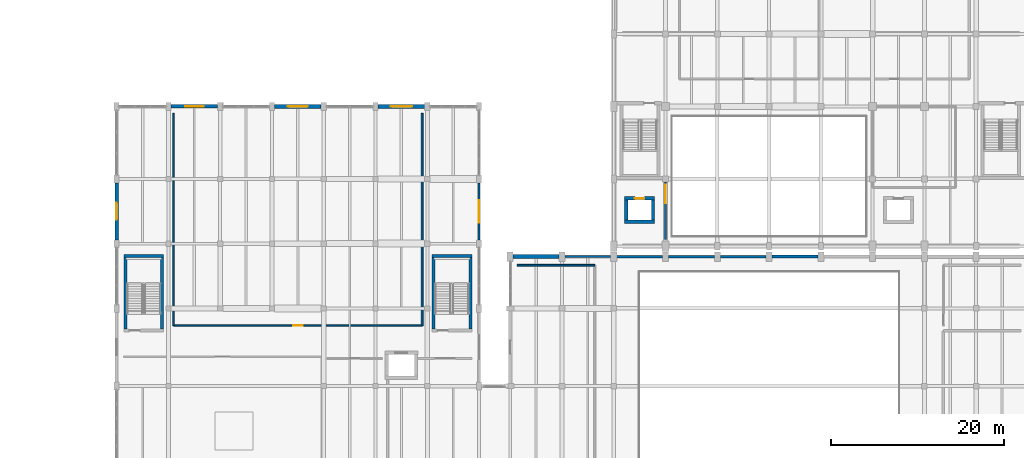
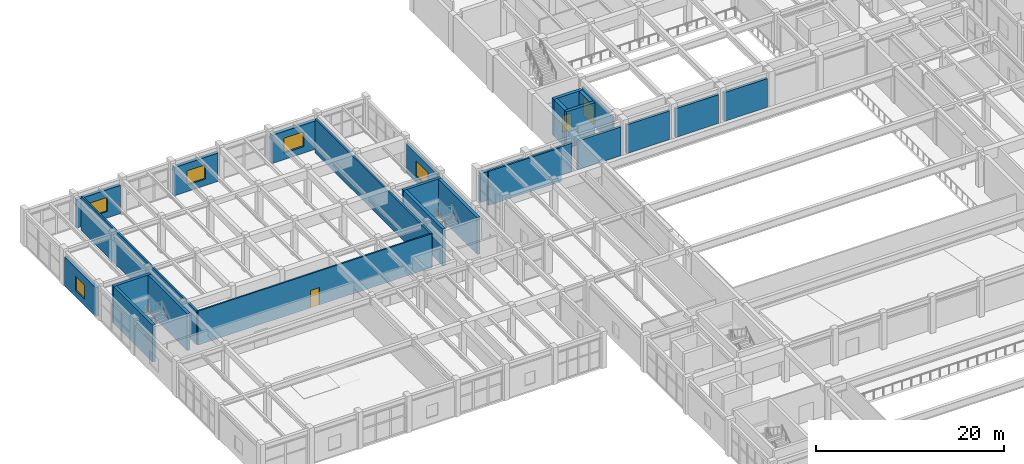
# One storey, part 64 of 85: 26 walls, 5 windows, 3 doors, 8 openings.
"""IFC4 building model written with IfcOpenShell, lengths in metres."""

import ifcopenshell
import ifcopenshell.guid

model = None  # the IFC model being written
_history = None  # IfcOwnerHistory: only IFC2X3 demands one
_inside = {}  # id of a spatial element -> (the spatial element, [elements in it])
_under = {}  # id of a project, library or spatial element -> (it, [spatial elements below it])
_declared = {}  # id of a project -> (the project, [libraries it declares])
_typed = {}  # id of a type object -> (the type object, [elements of that type])
_made_of = {}  # id of a material, layer set ... -> (it, [elements and type objects made of it])


def new_model(schema):
    """Start an empty IFC model of exactly this schema.

    Asked for "IFC4X3", IfcOpenShell would pick the latest addendum, in which some entities
    have other attributes; the version numbers below select the first issue.
    IFC2X3 requires an IfcOwnerHistory on every rooted entity: one is made here for all.
    """
    global model, _history
    if schema == "IFC4X3":
        model = ifcopenshell.file(schema_version=(4, 3, 0, 0))
    else:
        model = ifcopenshell.file(schema=schema)
    _inside.clear()
    _under.clear()
    _declared.clear()
    _typed.clear()
    _made_of.clear()
    _history = None
    if model.schema == "IFC2X3":
        org = make("IfcOrganization", Name="unknown")
        user = make(
            "IfcPersonAndOrganization",
            ThePerson=make("IfcPerson", FamilyName="unknown"),
            TheOrganization=org,
        )
        app = make(
            "IfcApplication",
            ApplicationDeveloper=org,
            Version="unknown",
            ApplicationFullName="unknown",
            ApplicationIdentifier="unknown",
        )
        _history = make(
            "IfcOwnerHistory",
            OwningUser=user,
            OwningApplication=app,
            ChangeAction="ADDED",
            CreationDate=0,
        )
    return model


def make(cls, **values):
    """One entity of the class cls with the attributes given. An attribute that is None is left unset."""
    return model.create_entity(
        cls, **{name: value for name, value in values.items() if value is not None}
    )


def rooted(cls, **values):
    """An entity with a GlobalId (a new one), such as an element, a storey or a relation."""
    return make(cls, GlobalId=ifcopenshell.guid.new(), OwnerHistory=_history, **values)


def si_unit(unit_type, name, prefix=None):
    """IfcSIUnit, for example si_unit("LENGTHUNIT", "METRE", prefix="MILLI")."""
    return make("IfcSIUnit", UnitType=unit_type, Prefix=prefix, Name=name)


def assignment(units):
    """IfcUnitAssignment: the units of a project."""
    return None if units is None else make("IfcUnitAssignment", Units=units)


def point(xyz):
    """IfcCartesianPoint."""
    return None if xyz is None else make("IfcCartesianPoint", Coordinates=xyz)


def direction(xyz):
    """IfcDirection."""
    return None if xyz is None else make("IfcDirection", DirectionRatios=xyz)


def frame(location, z_axis=None, x_axis=None):
    """IfcAxis2Placement3D, a coordinate frame: its origin and axes. An axis left out is left unset."""
    return make(
        "IfcAxis2Placement3D",
        Location=point(location),
        Axis=direction(z_axis),
        RefDirection=direction(x_axis),
    )


def frame_2d(location, x_axis=None):
    """IfcAxis2Placement2D, a coordinate frame in the plane: its origin and x axis."""
    return make(
        "IfcAxis2Placement2D", Location=point(location), RefDirection=direction(x_axis)
    )


def origin():
    """The frame at (0, 0, 0) with its axes left unset."""
    return frame((0.0, 0.0, 0.0))


def place(relative_to, where):
    """IfcLocalPlacement: puts the frame where relative to a parent placement (None: the world)."""
    return make(
        "IfcLocalPlacement", PlacementRelTo=relative_to, RelativePlacement=where
    )


def context(
    kind, dimensions, precision=None, world=None, true_north=None, identifier=None
):
    """IfcGeometricRepresentationContext, for example the 3D "Model" context."""
    return make(
        "IfcGeometricRepresentationContext",
        ContextIdentifier=identifier,
        ContextType=kind,
        CoordinateSpaceDimension=dimensions,
        Precision=precision,
        WorldCoordinateSystem=world,
        TrueNorth=true_north,
    )


def subcontext(parent, identifier, kind, view, scale=None):
    """IfcGeometricRepresentationSubContext, for example "Body" below "Model"."""
    return make(
        "IfcGeometricRepresentationSubContext",
        ContextIdentifier=identifier,
        ContextType=kind,
        ParentContext=parent,
        TargetScale=scale,
        TargetView=view,
    )


def project(units=None, contexts=None):
    """IfcProject with its units and contexts."""
    return rooted(
        "IfcProject",
        Name="project",
        RepresentationContexts=contexts,
        UnitsInContext=assignment(units),
    )


def spatial(cls, under=None, at=None, **own):
    """A site, building, storey or space (cls), placed at a placement, below another one or the project."""
    s = rooted(cls, ObjectPlacement=at, **own)
    if under is not None:
        _under.setdefault(under.id(), (under, []))[1].append(s)
    return s


def profile(cls, at=None, kind="AREA", **sizes):
    """A parametric profile (cls). Its sizes go by their IFC names, for example OverallWidth=200.0."""
    return make(cls, ProfileType=kind, Position=at, **sizes)


def rectangle(**sizes):
    """IfcRectangleProfileDef."""
    return profile("IfcRectangleProfileDef", **sizes)


def extrude(swept, where, along, depth):
    """IfcExtrudedAreaSolid: the profile swept, set in the frame where, extruded along a direction by depth."""
    return make(
        "IfcExtrudedAreaSolid",
        SweptArea=swept,
        Position=where,
        ExtrudedDirection=direction(along),
        Depth=depth,
    )


def shape(context_of_items, identifier, shape_type, items):
    """IfcShapeRepresentation: the items that make up one representation, for example the "Body"."""
    return make(
        "IfcShapeRepresentation",
        ContextOfItems=context_of_items,
        RepresentationIdentifier=identifier,
        RepresentationType=shape_type,
        Items=items,
    )


def material(Name=None, Category=None):
    """IfcMaterial."""
    return make("IfcMaterial", Name=Name, Category=Category)


def layer(
    of_material, thickness, ventilated=None, Name=None, Category=None, Priority=None
):
    """IfcMaterialLayer: one layer of a wall or slab, of a material (None: an air gap)."""
    return make(
        "IfcMaterialLayer",
        Material=of_material,
        LayerThickness=thickness,
        IsVentilated=ventilated,
        Name=Name,
        Category=Category,
        Priority=Priority,
    )


def layer_set(layers, Name=None):
    """IfcMaterialLayerSet."""
    return make("IfcMaterialLayerSet", MaterialLayers=layers, LayerSetName=Name)


def made_of(thing, what):
    """Note that an element or type object is made of a material, layer set ...; save() writes the relation."""
    if what is not None:
        _made_of.setdefault(what.id(), (what, []))[1].append(thing)
    return thing


def type_object(cls, material=None, **own):
    """A type object (cls), such as IfcWallType, which elements share."""
    return made_of(rooted(cls, **own), material)


def element(
    cls,
    number,
    at=None,
    inside=None,
    cuts=None,
    type_object=None,
    material=None,
    context=None,
    identifier="Body",
    shape_type=None,
    held_by="IfcProductDefinitionShape",
    body=None,
    shapes=None,
    **own,
):
    """One element of the class cls, such as IfcWall. Its Tag is "e" and its number.

    at: its placement. inside: the storey or other place that contains it. cuts: it is an
    opening in that element (IfcRelVoidsElement). A single representation is given by context,
    identifier, shape_type and body (its items); several are given by shapes. held_by: the class
    of the entity that holds the representations. save() writes the other relations.
    """
    e = rooted(cls, Tag="e%d" % number, ObjectPlacement=at, **own)
    if body is not None:
        shapes = [shape(context, identifier, shape_type, body)]
    if shapes is not None:
        e.Representation = make(held_by, Representations=shapes)
    if inside is not None:
        _inside.setdefault(inside.id(), (inside, []))[1].append(e)
    if cuts is not None:
        rooted(
            "IfcRelVoidsElement", RelatingBuildingElement=cuts, RelatedOpeningElement=e
        )
    if type_object is not None:
        _typed.setdefault(type_object.id(), (type_object, []))[1].append(e)
    return made_of(e, material)


def fill(opening, filler):
    """IfcRelFillsElement: the door or window that sits in an opening."""
    return rooted(
        "IfcRelFillsElement",
        RelatingOpeningElement=opening,
        RelatedBuildingElement=filler,
    )


def aggregate(whole, parts):
    """IfcRelAggregates: a whole, such as a stair, and the parts it consists of."""
    return rooted("IfcRelAggregates", RelatingObject=whole, RelatedObjects=parts)


def save(model, path):
    """Write the relations noted so far, then the file.

    IfcRelAggregates (storeys below a building ...), IfcRelContainedInSpatialStructure (elements
    in a storey), IfcRelDefinesByType, IfcRelAssociatesMaterial and IfcRelDeclares: one each for
    every whole, place, type object, material and project.
    """
    for whole, parts in _under.values():
        aggregate(whole, parts)
    for where, things in _inside.values():
        rooted(
            "IfcRelContainedInSpatialStructure",
            RelatedElements=things,
            RelatingStructure=where,
        )
    for kind, things in _typed.values():
        rooted("IfcRelDefinesByType", RelatedObjects=things, RelatingType=kind)
    for what, things in _made_of.values():
        rooted("IfcRelAssociatesMaterial", RelatedObjects=things, RelatingMaterial=what)
    for by, libraries in _declared.values():
        rooted("IfcRelDeclares", RelatingContext=by, RelatedDefinitions=libraries)
    model.write(path)


model = new_model("IFC4")

# Units and contexts
model_context = context("Model", 3, precision=1e-05, world=origin(), true_north=direction((0.0, 1.0)))
body_context = subcontext(model_context, "Body", "Model", "MODEL_VIEW")
ifc_project = project(units=[si_unit("LENGTHUNIT", "METRE"), si_unit("AREAUNIT", "SQUARE_METRE"), si_unit("VOLUMEUNIT", "CUBIC_METRE"), si_unit("PLANEANGLEUNIT", "RADIAN"), si_unit("MASSUNIT", "GRAM", prefix="KILO")], contexts=[model_context])

# Site, building, storey
site_placement = place(None, origin())
site = spatial("IfcSite", under=ifc_project, at=site_placement, CompositionType="ELEMENT")
building_placement = place(site_placement, origin())
building = spatial("IfcBuilding", under=site, at=building_placement, Name="Vaelkrest Opera House", CompositionType="ELEMENT")
storey_placement = place(building_placement, frame((0.0, 0.0, 10.199951171875)))
storey = spatial("IfcBuildingStorey", under=building, at=storey_placement, Name="L02", CompositionType="ELEMENT", Elevation=10.199951171875)

# Wall
ifc_material_1 = material(Name="Douglas fir glulam GL28h", Category="wood")
ifc_layer_1 = layer(ifc_material_1, 0.2548828125)
ifc_layer_set_1 = layer_set([ifc_layer_1], Name="Douglas fir glulam GL28h")
wall_type_1 = type_object("IfcWallType", Name="EW01", PredefinedType="STANDARD", material=ifc_layer_set_1)
wall_1_placement = place(storey_placement, frame((-23.652099609375, 16.199951171875, 0.0), z_axis=(0.0, 0.0, 1.0), x_axis=(1.0, 0.0, 0.0)))
element("IfcWall", 1, at=wall_1_placement, inside=storey, type_object=wall_type_1, Name="Exterior facade wall EW-V1-L02-0061", PredefinedType="STANDARD", context=body_context, shape_type="SweptSolid", body=[
    extrude(rectangle(XDim=5.30419921875, YDim=0.2548828125, at=frame_2d((2.652099609375, 0.0))), origin(), (0.0, 0.0, 1.0), 3.7451171875),
])

# Wall, opening, window
wall_2_placement = place(storey_placement, frame((-33.60009765625, 24.751953125, 0.0), z_axis=(0.0, 0.0, 1.0), x_axis=(0.0, -1.0, 0.0)))
wall_2 = element("IfcWall", 2, at=wall_2_placement, inside=storey, type_object=wall_type_1, Name="Exterior facade wall EW-V3-L02-0181", PredefinedType="STANDARD", context=body_context, shape_type="SweptSolid", body=[
    extrude(rectangle(XDim=6.60400390625, YDim=0.2548828125, at=frame_2d((3.302001953125, 0.0))), origin(), (0.0, 0.0, 1.0), 3.76904296875),
])
opening_1_placement = place(wall_2_placement, frame((2.001953125, 0.0, 0.85009765625)))
opening_1 = element("IfcOpeningElement", 3, at=opening_1_placement, cuts=wall_2, Name="Opening WN089", PredefinedType="OPENING", context=body_context, shape_type="SweptSolid", body=[
    extrude(rectangle(XDim=2.60009765625, YDim=1.949951171875, at=frame_2d((1.300048828125, 0.97509765625))), frame((0.0, 0.137451171875, 0.0), z_axis=(0.0, -1.0, 0.0), x_axis=(1.0, 0.0, 0.0)), (0.0, 0.0, 1.0), 0.27490234375),
])
ifc_material_2 = material(Name="Double low-E insulated glazing", Category="glass")
window_type_1 = type_object("IfcWindowType", Name="WT11", PartitioningType="SINGLE_PANEL", PredefinedType="WINDOW", material=ifc_material_2)
window_1_placement = place(opening_1_placement, origin())
window_1 = element("IfcWindow", 4, at=window_1_placement, inside=storey, type_object=window_type_1, Name="Facade window WN089", OverallHeight=1.949951171875, OverallWidth=2.60009765625, PartitioningType="SINGLE_PANEL", PredefinedType="WINDOW", context=body_context, shape_type="SweptSolid", body=[
    extrude(rectangle(XDim=2.60009765625, YDim=1.949951171875, at=frame_2d((1.300048828125, 0.97509765625))), frame((0.0, 0.030029296875, 0.0), z_axis=(0.0, -1.0, 0.0), x_axis=(1.0, 0.0, 0.0)), (0.0, 0.0, 1.0), 0.06005859375),
])
fill(opening_1, window_1)

# Walls
ifc_layer_2 = layer(ifc_material_1, 0.27490234375)
ifc_layer_set_2 = layer_set([ifc_layer_2], Name="Douglas fir glulam GL28h")
wall_type_2 = type_object("IfcWallType", Name="EW02", PredefinedType="STANDARD", material=ifc_layer_set_2)
wall_3_placement = place(storey_placement, frame((-17.652099609375, 16.199951171875, 0.0), z_axis=(0.0, 0.0, 1.0), x_axis=(1.0, 0.0, 0.0)))
element("IfcWall", 5, at=wall_3_placement, inside=storey, type_object=wall_type_2, Name="Exterior facade wall EW-V1-L02-0062", PredefinedType="STANDARD", context=body_context, shape_type="SweptSolid", body=[
    extrude(rectangle(XDim=5.30419921875, YDim=0.27490234375, at=frame_2d((2.652099609375, 0.0))), origin(), (0.0, 0.0, 1.0), 3.7451171875),
])
ifc_layer_3 = layer(ifc_material_1, 0.294921875)
ifc_layer_set_3 = layer_set([ifc_layer_3], Name="Douglas fir glulam GL28h")
wall_type_3 = type_object("IfcWallType", Name="EW03", PredefinedType="STANDARD", material=ifc_layer_set_3)
wall_4_placement = place(storey_placement, frame((-11.652099609375, 16.199951171875, 0.0), z_axis=(0.0, 0.0, 1.0), x_axis=(1.0, 0.0, 0.0)))
element("IfcWall", 6, at=wall_4_placement, inside=storey, type_object=wall_type_3, Name="Exterior facade wall EW-V1-L02-0063", PredefinedType="STANDARD", context=body_context, shape_type="SweptSolid", body=[
    extrude(rectangle(XDim=5.30419921875, YDim=0.294921875, at=frame_2d((2.652099609375, 0.0))), origin(), (0.0, 0.0, 1.0), 3.7451171875),
])
ifc_material_3 = material(Name="American black walnut acoustic timber", Category="wood")
ifc_layer_4 = layer(ifc_material_3, 0.31494140625)
ifc_layer_set_4 = layer_set([ifc_layer_4], Name="American black walnut acoustic timber")
wall_type_4 = type_object("IfcWallType", Name="EW04", PredefinedType="STANDARD", material=ifc_layer_set_4)
wall_5_placement = place(storey_placement, frame((-5.652099609375, 16.199951171875, 0.0), z_axis=(0.0, 0.0, 1.0), x_axis=(1.0, 0.0, 0.0)))
element("IfcWall", 7, at=wall_5_placement, inside=storey, type_object=wall_type_4, Name="Exterior facade wall EW-V1-L02-0064", PredefinedType="STANDARD", context=body_context, shape_type="SweptSolid", body=[
    extrude(rectangle(XDim=5.30419921875, YDim=0.31494140625, at=frame_2d((2.652099609375, 0.0))), origin(), (0.0, 0.0, 1.0), 3.7451171875),
])
ifc_layer_5 = layer(ifc_material_3, 0.3349609375)
ifc_layer_set_5 = layer_set([ifc_layer_5], Name="American black walnut acoustic timber")
wall_type_5 = type_object("IfcWallType", Name="EW05", PredefinedType="STANDARD", material=ifc_layer_set_5)
wall_6_placement = place(storey_placement, frame((0.347900390625, 16.199951171875, 0.0), z_axis=(0.0, 0.0, 1.0), x_axis=(1.0, 0.0, 0.0)))
element("IfcWall", 8, at=wall_6_placement, inside=storey, type_object=wall_type_5, Name="Exterior facade wall EW-V1-L02-0065", PredefinedType="STANDARD", context=body_context, shape_type="SweptSolid", body=[
    extrude(rectangle(XDim=5.30419921875, YDim=0.3349609375, at=frame_2d((2.652099609375, 0.0))), origin(), (0.0, 0.0, 1.0), 3.7451171875),
])

# Wall, opening, window
ifc_material_4 = material(Name="Concrete C40/50", Category="concrete")
ifc_layer_6 = layer(ifc_material_4, 0.385009765625)
ifc_layer_set_6 = layer_set([ifc_layer_6], Name="Concrete C40/50")
wall_type_6 = type_object("IfcWallType", Name="EW07", PredefinedType="STANDARD", material=ifc_layer_set_6)
wall_7_placement = place(storey_placement, frame((-75.60009765625, 18.14794921875, 0.0), z_axis=(0.0, 0.0, 1.0), x_axis=(0.0, 1.0, 0.0)))
wall_7 = element("IfcWall", 9, at=wall_7_placement, inside=storey, type_object=wall_type_6, Name="Exterior facade wall EW-V3-L02-0177", PredefinedType="STANDARD", context=body_context, shape_type="SweptSolid", body=[
    extrude(rectangle(XDim=6.60400390625, YDim=0.385009765625, at=frame_2d((3.302001953125, 0.0))), origin(), (0.0, 0.0, 1.0), 3.76904296875),
])
opening_2_placement = place(wall_7_placement, frame((2.302001953125, 0.0, 0.85009765625)))
opening_2 = element("IfcOpeningElement", 10, at=opening_2_placement, cuts=wall_7, Name="Opening WN085", PredefinedType="OPENING", context=body_context, shape_type="SweptSolid", body=[
    extrude(rectangle(XDim=2.0, YDim=1.85009765625, at=frame_2d((1.0, 0.925048828125))), frame((0.0, 0.202392578125, 0.0), z_axis=(0.0, -1.0, 0.0), x_axis=(1.0, 0.0, 0.0)), (0.0, 0.0, 1.0), 0.405029296875),
])
window_type_2 = type_object("IfcWindowType", Name="WT07", PartitioningType="SINGLE_PANEL", PredefinedType="WINDOW", material=ifc_material_2)
window_2_placement = place(opening_2_placement, origin())
window_2 = element("IfcWindow", 11, at=window_2_placement, inside=storey, type_object=window_type_2, Name="Facade window WN085", OverallHeight=1.85009765625, OverallWidth=2.0, PartitioningType="SINGLE_PANEL", PredefinedType="WINDOW", context=body_context, shape_type="SweptSolid", body=[
    extrude(rectangle(XDim=2.0, YDim=1.85009765625, at=frame_2d((1.0, 0.925048828125))), frame((0.0, 0.030029296875, 0.0), z_axis=(0.0, -1.0, 0.0), x_axis=(1.0, 0.0, 0.0)), (0.0, 0.0, 1.0), 0.06005859375),
])
fill(opening_2, window_2)

ifc_layer_7 = layer(ifc_material_4, 0.409912109375)
ifc_layer_set_7 = layer_set([ifc_layer_7], Name="Concrete C40/50")
wall_type_7 = type_object("IfcWallType", Name="EW08", PredefinedType="STANDARD", material=ifc_layer_set_7)
wall_8_placement = place(storey_placement, frame((-69.302001953125, 33.60009765625, 0.0), z_axis=(0.0, 0.0, 1.0), x_axis=(1.0, 0.0, 0.0)))
wall_8 = element("IfcWall", 12, at=wall_8_placement, inside=storey, type_object=wall_type_7, Name="Exterior facade wall EW-V3-L02-0178", PredefinedType="STANDARD", context=body_context, shape_type="SweptSolid", body=[
    extrude(rectangle(XDim=5.404052734375, YDim=0.409912109375, at=frame_2d((2.7021484375, 0.0))), origin(), (0.0, 0.0, 1.0), 3.68505859375),
])
opening_3_placement = place(wall_8_placement, frame((1.626953125, 0.0, 0.85009765625)))
opening_3 = element("IfcOpeningElement", 13, at=opening_3_placement, cuts=wall_8, Name="Opening WN086", PredefinedType="OPENING", context=body_context, shape_type="SweptSolid", body=[
    extrude(rectangle(XDim=2.14990234375, YDim=1.85009765625, at=frame_2d((1.074951171875, 0.925048828125))), frame((0.0, 0.21484375, 0.0), z_axis=(0.0, -1.0, 0.0), x_axis=(1.0, 0.0, 0.0)), (0.0, 0.0, 1.0), 0.429931640625),
])
window_type_3 = type_object("IfcWindowType", Name="WT08", PartitioningType="SINGLE_PANEL", PredefinedType="WINDOW", material=ifc_material_2)
window_3_placement = place(opening_3_placement, origin())
window_3 = element("IfcWindow", 14, at=window_3_placement, inside=storey, type_object=window_type_3, Name="Facade window WN086", OverallHeight=1.85009765625, OverallWidth=2.14990234375, PartitioningType="SINGLE_PANEL", PredefinedType="WINDOW", context=body_context, shape_type="SweptSolid", body=[
    extrude(rectangle(XDim=2.14990234375, YDim=1.85009765625, at=frame_2d((1.074951171875, 0.925048828125))), frame((0.0, 0.030029296875, 0.0), z_axis=(0.0, -1.0, 0.0), x_axis=(1.0, 0.0, 0.0)), (0.0, 0.0, 1.0), 0.06005859375),
])
fill(opening_3, window_3)

ifc_layer_8 = layer(ifc_material_4, 0.43505859375)
ifc_layer_set_8 = layer_set([ifc_layer_8], Name="Concrete C40/50")
wall_type_8 = type_object("IfcWallType", Name="EW09", PredefinedType="STANDARD", material=ifc_layer_set_8)
wall_9_placement = place(storey_placement, frame((-57.302001953125, 33.60009765625, 0.0), z_axis=(0.0, 0.0, 1.0), x_axis=(1.0, 0.0, 0.0)))
wall_9 = element("IfcWall", 15, at=wall_9_placement, inside=storey, type_object=wall_type_8, Name="Exterior facade wall EW-V3-L02-0179", PredefinedType="STANDARD", context=body_context, shape_type="SweptSolid", body=[
    extrude(rectangle(XDim=5.404052734375, YDim=0.43505859375, at=frame_2d((2.7021484375, 0.0))), origin(), (0.0, 0.0, 1.0), 3.68505859375),
])
opening_4_placement = place(wall_9_placement, frame((1.552001953125, 0.0, 0.85009765625)))
opening_4 = element("IfcOpeningElement", 16, at=opening_4_placement, cuts=wall_9, Name="Opening WN087", PredefinedType="OPENING", context=body_context, shape_type="SweptSolid", body=[
    extrude(rectangle(XDim=2.300048828125, YDim=1.85009765625, at=frame_2d((1.14990234375, 0.925048828125))), frame((0.0, 0.2275390625, 0.0), z_axis=(0.0, -1.0, 0.0), x_axis=(1.0, 0.0, 0.0)), (0.0, 0.0, 1.0), 0.455078125),
])
window_type_4 = type_object("IfcWindowType", Name="WT09", PartitioningType="SINGLE_PANEL", PredefinedType="WINDOW", material=ifc_material_2)
window_4_placement = place(opening_4_placement, origin())
window_4 = element("IfcWindow", 17, at=window_4_placement, inside=storey, type_object=window_type_4, Name="Facade window WN087", OverallHeight=1.85009765625, OverallWidth=2.300048828125, PartitioningType="SINGLE_PANEL", PredefinedType="WINDOW", context=body_context, shape_type="SweptSolid", body=[
    extrude(rectangle(XDim=2.300048828125, YDim=1.85009765625, at=frame_2d((1.14990234375, 0.925048828125))), frame((0.0, 0.030029296875, 0.0), z_axis=(0.0, -1.0, 0.0), x_axis=(1.0, 0.0, 0.0)), (0.0, 0.0, 1.0), 0.06005859375),
])
fill(opening_4, window_4)

# Wall
ifc_layer_9 = layer(ifc_material_4, 0.465087890625)
ifc_layer_set_9 = layer_set([ifc_layer_9], Name="Concrete C40/50")
wall_type_9 = type_object("IfcWallType", Name="EW10", PredefinedType="STANDARD", material=ifc_layer_set_9)
wall_10_placement = place(storey_placement, frame((-29.652099609375, 16.199951171875, 0.0), z_axis=(0.0, 0.0, 1.0), x_axis=(1.0, 0.0, 0.0)))
element("IfcWall", 18, at=wall_10_placement, inside=storey, type_object=wall_type_9, Name="Exterior facade wall EW-V1-L02-0060", PredefinedType="STANDARD", context=body_context, shape_type="SweptSolid", body=[
    extrude(rectangle(XDim=5.30419921875, YDim=0.465087890625, at=frame_2d((2.652099609375, 0.0))), origin(), (0.0, 0.0, 1.0), 3.7451171875),
])

# Wall, opening, window
wall_11_placement = place(storey_placement, frame((-45.302001953125, 33.60009765625, 0.0), z_axis=(0.0, 0.0, 1.0), x_axis=(1.0, 0.0, 0.0)))
wall_11 = element("IfcWall", 19, at=wall_11_placement, inside=storey, type_object=wall_type_9, Name="Exterior facade wall EW-V3-L02-0180", PredefinedType="STANDARD", context=body_context, shape_type="SweptSolid", body=[
    extrude(rectangle(XDim=5.404052734375, YDim=0.465087890625, at=frame_2d((2.7021484375, 0.0))), origin(), (0.0, 0.0, 1.0), 3.68505859375),
])
opening_5_placement = place(wall_11_placement, frame((1.47705078125, 0.0, 0.85009765625)))
opening_5 = element("IfcOpeningElement", 20, at=opening_5_placement, cuts=wall_11, Name="Opening WN088", PredefinedType="OPENING", context=body_context, shape_type="SweptSolid", body=[
    extrude(rectangle(XDim=2.449951171875, YDim=1.949951171875, at=frame_2d((1.22509765625, 0.97509765625))), frame((0.0, 0.242431640625, 0.0), z_axis=(0.0, -1.0, 0.0), x_axis=(1.0, 0.0, 0.0)), (0.0, 0.0, 1.0), 0.485107421875),
])
window_type_5 = type_object("IfcWindowType", Name="WT10", PartitioningType="SINGLE_PANEL", PredefinedType="WINDOW", material=ifc_material_2)
window_5_placement = place(opening_5_placement, origin())
window_5 = element("IfcWindow", 21, at=window_5_placement, inside=storey, type_object=window_type_5, Name="Facade window WN088", OverallHeight=1.949951171875, OverallWidth=2.449951171875, PartitioningType="SINGLE_PANEL", PredefinedType="WINDOW", context=body_context, shape_type="SweptSolid", body=[
    extrude(rectangle(XDim=2.449951171875, YDim=1.949951171875, at=frame_2d((1.22509765625, 0.97509765625))), frame((0.0, 0.030029296875, 0.0), z_axis=(0.0, -1.0, 0.0), x_axis=(1.0, 0.0, 0.0)), (0.0, 0.0, 1.0), 0.06005859375),
])
fill(opening_5, window_5)

# Wall, opening, door
ifc_material_5 = material(Name="Gypsum acoustic board", Category="gypsum")
ifc_layer_10 = layer(ifc_material_5, 0.179931640625)
ifc_layer_set_10 = layer_set([ifc_layer_10], Name="Gypsum acoustic board")
wall_type_10 = type_object("IfcWallType", Name="PT05", PredefinedType="PARTITIONING", material=ifc_layer_set_10)
wall_12_placement = place(storey_placement, frame((-69.0, 8.199951171875, 0.0), z_axis=(0.0, 0.0, 1.0), x_axis=(1.0, 0.0, 0.0)))
wall_12 = element("IfcWall", 22, at=wall_12_placement, inside=storey, type_object=wall_type_10, Name="Interior partition PT-V3-L02-0299", PredefinedType="PARTITIONING", context=body_context, shape_type="SweptSolid", body=[
    extrude(rectangle(XDim=28.800048828125, YDim=0.179931640625, at=frame_2d((14.39990234375, 0.0))), origin(), (0.0, 0.0, 1.0), 4.420166015625),
])
opening_6_placement = place(wall_12_placement, frame((13.840087890625, 0.0, 0.0)))
opening_6 = element("IfcOpeningElement", 23, at=opening_6_placement, cuts=wall_12, Name="Opening D119", PredefinedType="OPENING", context=body_context, shape_type="SweptSolid", body=[
    extrude(rectangle(XDim=1.1201171875, YDim=2.25, at=frame_2d((0.56005859375, 1.125))), frame((0.0, 0.099853515625, 0.0), z_axis=(0.0, -1.0, 0.0), x_axis=(1.0, 0.0, 0.0)), (0.0, 0.0, 1.0), 0.199951171875),
])
door_type_1 = type_object("IfcDoorType", Name="DT23", OperationType="NOTDEFINED", PredefinedType="DOOR", material=ifc_material_3)
door_1_placement = place(opening_6_placement, origin())
door_1 = element("IfcDoor", 24, at=door_1_placement, inside=storey, type_object=door_type_1, Name="Interior door D119 (Education Studio)", OperationType="SINGLE_SWING_LEFT", OverallHeight=2.25, OverallWidth=1.1201171875, PredefinedType="DOOR", context=body_context, shape_type="SweptSolid", body=[
    extrude(rectangle(XDim=1.1201171875, YDim=2.25, at=frame_2d((0.56005859375, 1.125))), frame((0.0, 0.02490234375, 0.0), z_axis=(0.0, -1.0, 0.0), x_axis=(1.0, 0.0, 0.0)), (0.0, 0.0, 1.0), 0.050048828125),
])
fill(opening_6, door_1)

# Walls
ifc_layer_11 = layer(ifc_material_5, 0.195068359375)
ifc_layer_set_11 = layer_set([ifc_layer_11], Name="Gypsum acoustic board")
wall_type_11 = type_object("IfcWallType", Name="PT06", PredefinedType="PARTITIONING", material=ifc_layer_set_11)
wall_13_placement = place(storey_placement, frame((-69.0, 8.199951171875, 0.0), z_axis=(0.0, 0.0, 1.0), x_axis=(0.0, 1.0, 0.0)))
element("IfcWall", 25, at=wall_13_placement, inside=storey, type_object=wall_type_11, Name="Interior partition PT-V3-L02-0300", PredefinedType="PARTITIONING", context=body_context, shape_type="SweptSolid", body=[
    extrude(rectangle(XDim=24.60009765625, YDim=0.195068359375, at=frame_2d((12.300048828125, 0.0))), origin(), (0.0, 0.0, 1.0), 4.420166015625),
])
ifc_layer_12 = layer(ifc_material_3, 0.2099609375)
ifc_layer_set_12 = layer_set([ifc_layer_12], Name="American black walnut acoustic timber")
wall_type_12 = type_object("IfcWallType", Name="PT07", PredefinedType="PARTITIONING", material=ifc_layer_set_12)
wall_14_placement = place(storey_placement, frame((-29.199951171875, 15.199951171875, 0.0), z_axis=(0.0, 0.0, 1.0), x_axis=(1.0, 0.0, 0.0)))
element("IfcWall", 26, at=wall_14_placement, inside=storey, type_object=wall_type_12, Name="Interior partition PT-V1-L02-0077", PredefinedType="PARTITIONING", context=body_context, shape_type="SweptSolid", body=[
    extrude(rectangle(XDim=9.0, YDim=0.2099609375, at=frame_2d((4.5, 0.0))), origin(), (0.0, 0.0, 1.0), 4.420166015625),
])

# Wall, opening, door
wall_15_placement = place(storey_placement, frame((-12.0, 18.199951171875, 0.0), z_axis=(0.0, 0.0, 1.0), x_axis=(0.0, 1.0, 0.0)))
wall_15 = element("IfcWall", 27, at=wall_15_placement, inside=storey, type_object=wall_type_12, Name="Interior partition PT-V2-L02-0195", PredefinedType="PARTITIONING", context=body_context, shape_type="SweptSolid", body=[
    extrude(rectangle(XDim=6.60009765625, YDim=0.2099609375, at=frame_2d((3.300048828125, 0.0))), origin(), (0.0, 0.0, 1.0), 3.590087890625),
])
opening_7_placement = place(wall_15_placement, frame((4.199951171875, 0.0, 0.0)))
opening_7 = element("IfcOpeningElement", 28, at=opening_7_placement, cuts=wall_15, Name="Opening D075", PredefinedType="OPENING", context=body_context, shape_type="SweptSolid", body=[
    extrude(rectangle(XDim=2.14990234375, YDim=2.39990234375, at=frame_2d((1.074951171875, 1.199951171875))), frame((0.0, 0.114990234375, 0.0), z_axis=(0.0, -1.0, 0.0), x_axis=(1.0, 0.0, 0.0)), (0.0, 0.0, 1.0), 0.22998046875),
])
door_type_2 = type_object("IfcDoorType", Name="DT17", OperationType="DOUBLE_DOOR_SINGLE_SWING", PredefinedType="DOOR", material=ifc_material_3)
door_2_placement = place(opening_7_placement, origin())
door_2 = element("IfcDoor", 29, at=door_2_placement, inside=storey, type_object=door_type_2, Name="Interior door D075 (Fly Gallery)", OperationType="DOUBLE_DOOR_SINGLE_SWING", OverallHeight=2.39990234375, OverallWidth=2.14990234375, PredefinedType="DOOR", context=body_context, shape_type="SweptSolid", body=[
    extrude(rectangle(XDim=2.14990234375, YDim=2.39990234375, at=frame_2d((1.074951171875, 1.199951171875))), frame((0.0, 0.02490234375, 0.0), z_axis=(0.0, -1.0, 0.0), x_axis=(1.0, 0.0, 0.0)), (0.0, 0.0, 1.0), 0.050048828125),
])
fill(opening_7, door_2)

# Walls
wall_16_placement = place(storey_placement, frame((-40.199951171875, 8.199951171875, 0.0), z_axis=(0.0, 0.0, 1.0), x_axis=(0.0, 1.0, 0.0)))
element("IfcWall", 30, at=wall_16_placement, inside=storey, type_object=wall_type_12, Name="Interior partition PT-V3-L02-0301", PredefinedType="PARTITIONING", context=body_context, shape_type="SweptSolid", body=[
    extrude(rectangle(XDim=24.60009765625, YDim=0.2099609375, at=frame_2d((12.300048828125, 0.0))), origin(), (0.0, 0.0, 1.0), 4.420166015625),
])
ifc_material_6 = material(Name="Concrete C50/60", Category="concrete")
ifc_layer_13 = layer(ifc_material_6, 0.35009765625)
ifc_layer_set_13 = layer_set([ifc_layer_13], Name="Concrete C50/60")
wall_type_13 = type_object("IfcWallType", Name="SW01", PredefinedType="SHEAR", material=ifc_layer_set_13)
wall_17_placement = place(storey_placement, frame((-74.574951171875, 7.800048828125, 0.0), z_axis=(0.0, 0.0, 1.0), x_axis=(0.0, 1.0, 0.0)))
element("IfcWall", 31, at=wall_17_placement, inside=storey, type_object=wall_type_13, Name="Stair core ST07 wall L02 W", PredefinedType="SHEAR", context=body_context, shape_type="SweptSolid", body=[
    extrude(rectangle(XDim=8.300048828125, YDim=0.35009765625, at=frame_2d((4.14990234375, 0.0))), origin(), (0.0, 0.0, 1.0), 4.800048828125),
])
wall_18_placement = place(storey_placement, frame((-74.75, 16.27490234375, 0.0), z_axis=(0.0, 0.0, 1.0), x_axis=(1.0, 0.0, 0.0)))
element("IfcWall", 32, at=wall_18_placement, inside=storey, type_object=wall_type_13, Name="Stair core ST07 wall L02 N", PredefinedType="SHEAR", context=body_context, shape_type="SweptSolid", body=[
    extrude(rectangle(XDim=4.60009765625, YDim=0.35009765625, at=frame_2d((2.300048828125, 0.0))), origin(), (0.0, 0.0, 1.0), 4.800048828125),
])
for number, where, z_axis, x_axis, name in (
    (33, (-70.324951171875, 16.10009765625, 0.0), (0.0, 0.0, 1.0), (0.0, -1.0, 0.0), "Stair core ST07 wall L02 E"),
    (34, (-38.875, 7.800048828125, 0.0), (0.0, 0.0, 1.0), (0.0, 1.0, 0.0), "Stair core ST08 wall L02 W"),
):
    element("IfcWall", number, at=place(storey_placement, frame(where, z_axis=z_axis, x_axis=x_axis)), inside=storey, type_object=wall_type_13, Name=name, PredefinedType="SHEAR", context=body_context, shape_type="SweptSolid", body=[
        extrude(rectangle(XDim=8.300048828125, YDim=0.35009765625, at=frame_2d((4.14990234375, 0.0))), origin(), (0.0, 0.0, 1.0), 4.800048828125),
    ])
wall_19_placement = place(storey_placement, frame((-39.050048828125, 16.27490234375, 0.0), z_axis=(0.0, 0.0, 1.0), x_axis=(1.0, 0.0, 0.0)))
element("IfcWall", 35, at=wall_19_placement, inside=storey, type_object=wall_type_13, Name="Stair core ST08 wall L02 N", PredefinedType="SHEAR", context=body_context, shape_type="SweptSolid", body=[
    extrude(rectangle(XDim=4.60009765625, YDim=0.35009765625, at=frame_2d((2.300048828125, 0.0))), origin(), (0.0, 0.0, 1.0), 4.800048828125),
])
wall_20_placement = place(storey_placement, frame((-34.625, 16.10009765625, 0.0), z_axis=(0.0, 0.0, 1.0), x_axis=(0.0, -1.0, 0.0)))
element("IfcWall", 36, at=wall_20_placement, inside=storey, type_object=wall_type_13, Name="Stair core ST08 wall L02 E", PredefinedType="SHEAR", context=body_context, shape_type="SweptSolid", body=[
    extrude(rectangle(XDim=8.300048828125, YDim=0.35009765625, at=frame_2d((4.14990234375, 0.0))), origin(), (0.0, 0.0, 1.0), 4.800048828125),
])
ifc_layer_14 = layer(ifc_material_6, 0.389892578125)
ifc_layer_set_14 = layer_set([ifc_layer_14], Name="Concrete C50/60")
wall_type_14 = type_object("IfcWallType", Name="SW02", PredefinedType="SHEAR", material=ifc_layer_set_14)
wall_21_placement = place(storey_placement, frame((-13.260009765625, 20.2548828125, 0.0), z_axis=(0.0, 0.0, 1.0), x_axis=(-1.0, 0.0, 0.0)))
element("IfcWall", 37, at=wall_21_placement, inside=storey, type_object=wall_type_14, Name="Lift shaft LF01 wall L02 S", PredefinedType="SHEAR", context=body_context, shape_type="SweptSolid", body=[
    extrude(rectangle(XDim=3.47998046875, YDim=0.389892578125, at=frame_2d((1.739990234375, 0.0))), origin(), (0.0, 0.0, 1.0), 4.800048828125),
])

# Wall, opening, door
wall_22_placement = place(storey_placement, frame((-16.739990234375, 22.945068359375, 0.0), z_axis=(0.0, 0.0, 1.0), x_axis=(1.0, 0.0, 0.0)))
wall_22 = element("IfcWall", 38, at=wall_22_placement, inside=storey, type_object=wall_type_14, Name="Lift shaft LF01 wall L02 N", PredefinedType="SHEAR", context=body_context, shape_type="SweptSolid", body=[
    extrude(rectangle(XDim=3.47998046875, YDim=0.389892578125, at=frame_2d((1.739990234375, 0.0))), origin(), (0.0, 0.0, 1.0), 4.800048828125),
])
opening_8_placement = place(wall_22_placement, frame((1.18994140625, 0.0, 0.0)))
opening_8 = element("IfcOpeningElement", 39, at=opening_8_placement, cuts=wall_22, Name="Opening LD-LF01-L02", PredefinedType="OPENING", context=body_context, shape_type="SweptSolid", body=[
    extrude(rectangle(XDim=1.10009765625, YDim=2.14990234375, at=frame_2d((0.550048828125, 1.074951171875))), frame((0.0, 0.204833984375, 0.0), z_axis=(0.0, -1.0, 0.0), x_axis=(1.0, 0.0, 0.0)), (0.0, 0.0, 1.0), 0.409912109375),
])
ifc_material_7 = material(Name="Dark bronze anodized aluminium", Category="aluminium")
door_type_3 = type_object("IfcDoorType", Name="LDT01", OperationType="SLIDING_TO_LEFT", PredefinedType="DOOR", material=ifc_material_7)
door_3_placement = place(opening_8_placement, origin())
door_3 = element("IfcDoor", 40, at=door_3_placement, inside=storey, type_object=door_type_3, Name="Lift landing sliding door LD-LF01-L02", OperationType="SLIDING_TO_LEFT", OverallHeight=2.14990234375, OverallWidth=1.10009765625, PredefinedType="DOOR", context=body_context, shape_type="SweptSolid", body=[
    extrude(rectangle(XDim=1.10009765625, YDim=2.14990234375, at=frame_2d((0.550048828125, 1.074951171875))), frame((0.0, 0.02490234375, 0.0), z_axis=(0.0, -1.0, 0.0), x_axis=(1.0, 0.0, 0.0)), (0.0, 0.0, 1.0), 0.050048828125),
])
fill(opening_8, door_3)

# Walls
for number, where, z_axis, x_axis, name in (
    (41, (-16.544921875, 20.449951171875, 0.0), (0.0, 0.0, 1.0), (0.0, 1.0, 0.0), "Lift shaft LF01 wall L02 W"),
    (42, (-13.455078125, 22.75, 0.0), (0.0, 0.0, 1.0), (0.0, -1.0, 0.0), "Lift shaft LF01 wall L02 E"),
):
    element("IfcWall", number, at=place(storey_placement, frame(where, z_axis=z_axis, x_axis=x_axis)), inside=storey, type_object=wall_type_14, Name=name, PredefinedType="SHEAR", context=body_context, shape_type="SweptSolid", body=[
        extrude(rectangle(XDim=2.300048828125, YDim=0.389892578125, at=frame_2d((1.14990234375, 0.0))), origin(), (0.0, 0.0, 1.0), 4.800048828125),
    ])

save(model, "model.ifc")
